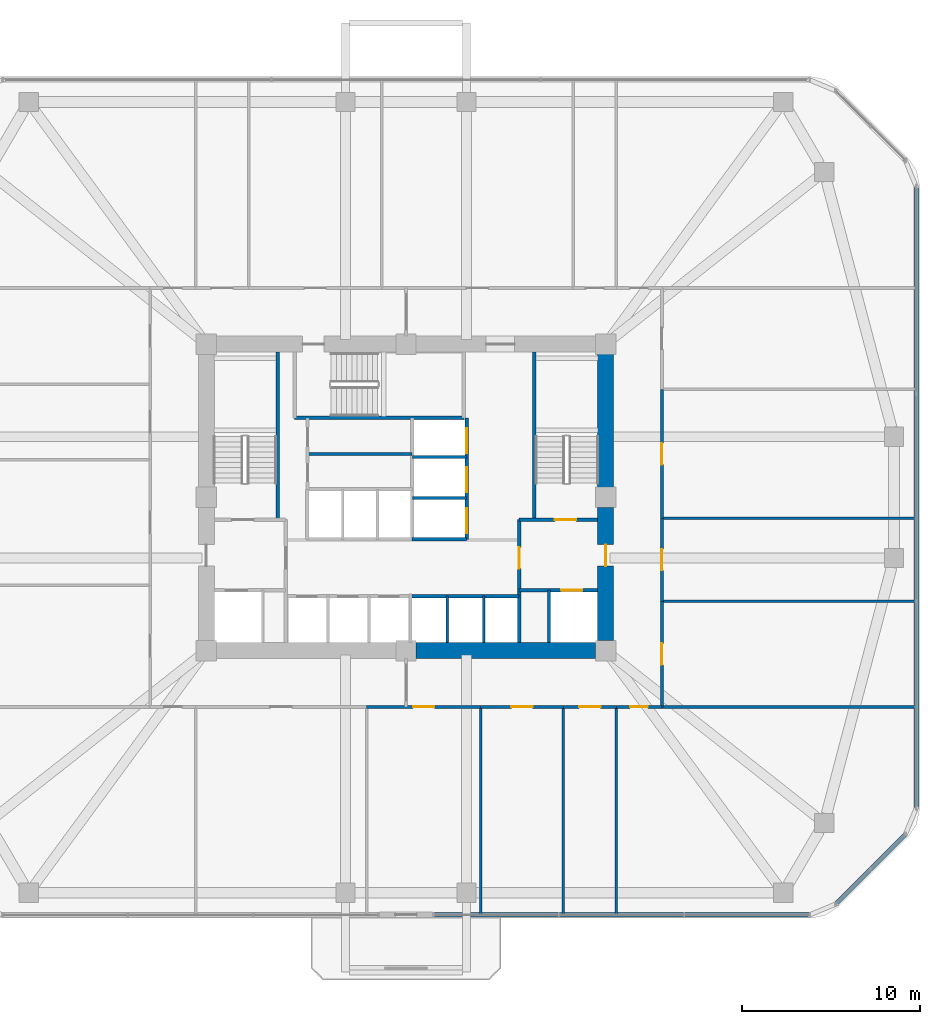
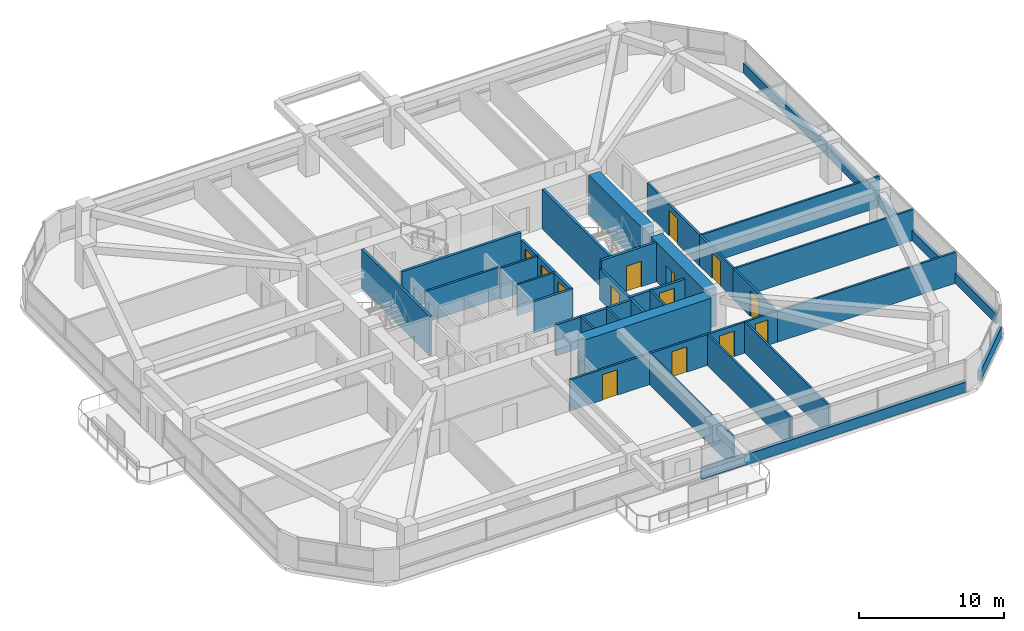
# One storey, part 10 of 14: 34 walls, 14 doors, 14 openings.
"""IFC4 building model written with IfcOpenShell, lengths in metres."""

from ifc_helpers import new_model, si_unit, derived_unit, direction, frame, frame_2d, origin, place, context, subcontext, project, spatial, rectangle, extrude, material, layer, layer_set, type_object, element, fill, save


model = new_model("IFC4")

# Units and contexts
model_context = context("Model", 3, precision=1e-05, world=origin(), true_north=direction((0.0, 1.0)))
body_context = subcontext(model_context, "Body", "Model", "MODEL_VIEW")
ifc_project = project(units=[si_unit("LENGTHUNIT", "METRE"), si_unit("AREAUNIT", "SQUARE_METRE"), si_unit("VOLUMEUNIT", "CUBIC_METRE"), si_unit("PLANEANGLEUNIT", "RADIAN"), si_unit("MASSUNIT", "GRAM", prefix="KILO"), derived_unit("THERMALTRANSMITTANCEUNIT", [(si_unit("POWERUNIT", "WATT"), 1), (si_unit("LENGTHUNIT", "METRE"), -2), (si_unit("THERMODYNAMICTEMPERATUREUNIT", "KELVIN"), -1)])], contexts=[model_context])

# Site, building, storey
site_placement = place(None, origin())
site = spatial("IfcSite", under=ifc_project, at=site_placement, CompositionType="ELEMENT")
building_placement = place(site_placement, origin())
building = spatial("IfcBuilding", under=site, at=building_placement, Name="Koralith Skygarden Medical Center", CompositionType="ELEMENT")
storey_placement = place(building_placement, frame((0.0, 0.0, 34.739990234375)))
storey = spatial("IfcBuildingStorey", under=building, at=storey_placement, Name="L08", CompositionType="ELEMENT", Elevation=34.739990234375)

# Walls
ifc_material_1 = material(Name="Gypsum Board Partition")
ifc_layer_1 = layer(ifc_material_1, 0.14990234375)
ifc_layer_set_1 = layer_set([ifc_layer_1], Name="Gypsum Board Partition")
wall_type_1 = type_object("IfcWallType", Name="Clinical Acoustic Partition 150", PredefinedType="PARTITIONING", material=ifc_layer_set_1)
for number, where, z_axis, x_axis, name in (
    (1, (41.193115234375, 14.14990234375, 0.0), (0.0, 0.0, 1.0), (0.0, -1.0, 0.0), "L08 Clinical Acoustic Partition 150 W-PART-L08-S-03"),
    (2, (45.825927734375, 14.14990234375, 0.0), (0.0, 0.0, 1.0), (0.0, -1.0, 0.0), "L08 Clinical Acoustic Partition 150 W-PART-L08-S-04"),
    (3, (48.800048828125, 14.14990234375, 0.0), (0.0, 0.0, 1.0), (0.0, -1.0, 0.0), "L08 Clinical Acoustic Partition 150 W-PART-L08-S-05"),
):
    element("IfcWall", number, at=place(storey_placement, frame(where, z_axis=z_axis, x_axis=x_axis)), inside=storey, type_object=wall_type_1, Name=name, PredefinedType="PARTITIONING", context=body_context, shape_type="SweptSolid", body=[
        extrude(rectangle(XDim=11.64990234375, YDim=0.14990234375, at=frame_2d((5.824951171875, 0.0))), origin(), (0.0, 0.0, 1.0), 2.610107421875),
    ])
for number, where, z_axis, x_axis, name in (
    (4, (51.35009765625, 20.072021484375, 0.0), (0.0, 0.0, 1.0), (1.0, 0.0, 0.0), "L08 Clinical Acoustic Partition 150 W-PART-L08-E-01"),
    (5, (51.35009765625, 24.72509765625, 0.0), (0.0, 0.0, 1.0), (1.0, 0.0, 0.0), "L08 Clinical Acoustic Partition 150 W-PART-L08-E-02"),
):
    element("IfcWall", number, at=place(storey_placement, frame(where, z_axis=z_axis, x_axis=x_axis)), inside=storey, type_object=wall_type_1, Name=name, PredefinedType="PARTITIONING", context=body_context, shape_type="SweptSolid", body=[
        extrude(rectangle(XDim=14.25, YDim=0.14990234375, at=frame_2d((7.125, 0.0))), origin(), (0.0, 0.0, 1.0), 2.610107421875),
    ])
ifc_layer_2 = layer(ifc_material_1, 0.1650390625)
ifc_layer_set_2 = layer_set([ifc_layer_2], Name="Gypsum Board Partition")
wall_type_2 = type_object("IfcWallType", Name="Clinical Corridor Partition 165", PredefinedType="PARTITIONING", material=ifc_layer_set_2)
wall_1_placement = place(storey_placement, frame((51.35009765625, 14.14990234375, 0.0), z_axis=(0.0, 0.0, 1.0), x_axis=(1.0, 0.0, 0.0)))
element("IfcWall", 6, at=wall_1_placement, inside=storey, type_object=wall_type_2, Name="L08 Clinical Corridor Partition 165 W-WB-L08-SE", PredefinedType="PARTITIONING", context=body_context, shape_type="SweptSolid", body=[
    extrude(rectangle(XDim=14.25, YDim=0.1650390625, at=frame_2d((7.125, 0.0))), origin(), (0.0, 0.0, 1.0), 2.610107421875),
])

# Wall, opening, door
wall_2_placement = place(storey_placement, frame((34.7939453125, 14.14990234375, 0.0), z_axis=(0.0, 0.0, 1.0), x_axis=(1.0, 0.0, 0.0)))
wall_2 = element("IfcWall", 7, at=wall_2_placement, inside=storey, type_object=wall_type_2, Name="L08 Clinical Corridor Partition 165 W-CORR-L08-S-03", PredefinedType="PARTITIONING", context=body_context, shape_type="SweptSolid", body=[
    extrude(rectangle(XDim=6.399169921875, YDim=0.1650390625, at=frame_2d((3.19970703125, 0.0))), origin(), (0.0, 0.0, 1.0), 2.610107421875),
])
opening_1_placement = place(wall_2_placement, frame((2.60009765625, 0.0, 0.0)))
opening_1 = element("IfcOpeningElement", 8, at=opening_1_placement, cuts=wall_2, Name="Opening D-CLN", PredefinedType="OPENING", context=body_context, shape_type="SweptSolid", body=[
    extrude(rectangle(XDim=1.199951171875, YDim=2.14990234375, at=frame_2d((0.60009765625, 1.074951171875))), frame((0.0, 0.092529296875, 0.0), z_axis=(0.0, -1.0, 0.0), x_axis=(1.0, 0.0, 0.0)), (0.0, 0.0, 1.0), 0.18505859375),
])
ifc_material_2 = material(Name="Aluminium 6063-T6", Category="aluminium")
door_type_1 = type_object("IfcDoorType", Name="Clinical Corridor Door D-CLN 1200", OperationType="NOTDEFINED", PredefinedType="DOOR", material=ifc_material_2)
door_1_placement = place(opening_1_placement, frame((1.199951171875, 0.0, 0.0), z_axis=(0.0, 0.0, 1.0), x_axis=(-1.0, 0.0, 0.0)))
door_1 = element("IfcDoor", 9, at=door_1_placement, inside=storey, type_object=door_type_1, Name="L08 Patient and Family Sky-Garden Day Lounge 09 Door", OperationType="SINGLE_SWING_RIGHT", OverallHeight=2.14990234375, OverallWidth=1.199951171875, PredefinedType="DOOR", context=body_context, shape_type="SweptSolid", body=[
    extrude(rectangle(XDim=1.199951171875, YDim=2.14990234375, at=frame_2d((0.60009765625, 1.074951171875))), frame((0.0, 0.02490234375, 0.0), z_axis=(0.0, -1.0, 0.0), x_axis=(1.0, 0.0, 0.0)), (0.0, 0.0, 1.0), 0.050048828125),
])
fill(opening_1, door_1)

wall_3_placement = place(storey_placement, frame((41.193115234375, 14.14990234375, 0.0), z_axis=(0.0, 0.0, 1.0), x_axis=(1.0, 0.0, 0.0)))
wall_3 = element("IfcWall", 10, at=wall_3_placement, inside=storey, type_object=wall_type_2, Name="L08 Clinical Corridor Partition 165 W-CORR-L08-S-04", PredefinedType="PARTITIONING", context=body_context, shape_type="SweptSolid", body=[
    extrude(rectangle(XDim=4.6328125, YDim=0.1650390625, at=frame_2d((2.31640625, 0.0))), origin(), (0.0, 0.0, 1.0), 2.610107421875),
])
opening_2_placement = place(wall_3_placement, frame((1.717041015625, 0.0, 0.0)))
opening_2 = element("IfcOpeningElement", 11, at=opening_2_placement, cuts=wall_3, Name="Opening D-CLN", PredefinedType="OPENING", context=body_context, shape_type="SweptSolid", body=[
    extrude(rectangle(XDim=1.199951171875, YDim=2.14990234375, at=frame_2d((0.60009765625, 1.074951171875))), frame((0.0, 0.092529296875, 0.0), z_axis=(0.0, -1.0, 0.0), x_axis=(1.0, 0.0, 0.0)), (0.0, 0.0, 1.0), 0.18505859375),
])
door_2_placement = place(opening_2_placement, frame((1.199951171875, 0.0, 0.0), z_axis=(0.0, 0.0, 1.0), x_axis=(-1.0, 0.0, 0.0)))
door_2 = element("IfcDoor", 12, at=door_2_placement, inside=storey, type_object=door_type_1, Name="L08 Ward Mobility Therapy Exercise Hall 10 Door", OperationType="SINGLE_SWING_LEFT", OverallHeight=2.14990234375, OverallWidth=1.199951171875, PredefinedType="DOOR", context=body_context, shape_type="SweptSolid", body=[
    extrude(rectangle(XDim=1.199951171875, YDim=2.14990234375, at=frame_2d((0.60009765625, 1.074951171875))), frame((0.0, 0.02490234375, 0.0), z_axis=(0.0, -1.0, 0.0), x_axis=(1.0, 0.0, 0.0)), (0.0, 0.0, 1.0), 0.050048828125),
])
fill(opening_2, door_2)

wall_4_placement = place(storey_placement, frame((45.825927734375, 14.14990234375, 0.0), z_axis=(0.0, 0.0, 1.0), x_axis=(1.0, 0.0, 0.0)))
wall_4 = element("IfcWall", 13, at=wall_4_placement, inside=storey, type_object=wall_type_2, Name="L08 Clinical Corridor Partition 165 W-CORR-L08-S-05", PredefinedType="PARTITIONING", context=body_context, shape_type="SweptSolid", body=[
    extrude(rectangle(XDim=2.97412109375, YDim=0.1650390625, at=frame_2d((1.487060546875, 0.0))), origin(), (0.0, 0.0, 1.0), 2.610107421875),
])
opening_3_placement = place(wall_4_placement, frame((0.886962890625, 0.0, 0.0)))
opening_3 = element("IfcOpeningElement", 14, at=opening_3_placement, cuts=wall_4, Name="Opening D-CLN", PredefinedType="OPENING", context=body_context, shape_type="SweptSolid", body=[
    extrude(rectangle(XDim=1.199951171875, YDim=2.14990234375, at=frame_2d((0.60009765625, 1.074951171875))), frame((0.0, 0.092529296875, 0.0), z_axis=(0.0, -1.0, 0.0), x_axis=(1.0, 0.0, 0.0)), (0.0, 0.0, 1.0), 0.18505859375),
])
door_3_placement = place(opening_3_placement, frame((1.199951171875, 0.0, 0.0), z_axis=(0.0, 0.0, 1.0), x_axis=(-1.0, 0.0, 0.0)))
door_3 = element("IfcDoor", 15, at=door_3_placement, inside=storey, type_object=door_type_1, Name="L08 Diagnostic Ultrasound Exam Room 11 Door", OperationType="SINGLE_SWING_RIGHT", OverallHeight=2.14990234375, OverallWidth=1.199951171875, PredefinedType="DOOR", context=body_context, shape_type="SweptSolid", body=[
    extrude(rectangle(XDim=1.199951171875, YDim=2.14990234375, at=frame_2d((0.60009765625, 1.074951171875))), frame((0.0, 0.02490234375, 0.0), z_axis=(0.0, -1.0, 0.0), x_axis=(1.0, 0.0, 0.0)), (0.0, 0.0, 1.0), 0.050048828125),
])
fill(opening_3, door_3)

wall_5_placement = place(storey_placement, frame((48.800048828125, 14.14990234375, 0.0), z_axis=(0.0, 0.0, 1.0), x_axis=(1.0, 0.0, 0.0)))
wall_5 = element("IfcWall", 16, at=wall_5_placement, inside=storey, type_object=wall_type_2, Name="L08 Clinical Corridor Partition 165 W-CORR-L08-S-06", PredefinedType="PARTITIONING", context=body_context, shape_type="SweptSolid", body=[
    extrude(rectangle(XDim=2.550048828125, YDim=0.1650390625, at=frame_2d((1.27490234375, 0.0))), origin(), (0.0, 0.0, 1.0), 2.610107421875),
])
opening_4_placement = place(wall_5_placement, frame((0.77490234375, 0.0, 0.0)))
opening_4 = element("IfcOpeningElement", 17, at=opening_4_placement, cuts=wall_5, Name="Opening D-SUP", PredefinedType="OPENING", context=body_context, shape_type="SweptSolid", body=[
    extrude(rectangle(XDim=1.0, YDim=2.14990234375, at=frame_2d((0.5, 1.074951171875))), frame((0.0, 0.092529296875, 0.0), z_axis=(0.0, -1.0, 0.0), x_axis=(1.0, 0.0, 0.0)), (0.0, 0.0, 1.0), 0.18505859375),
])
door_type_2 = type_object("IfcDoorType", Name="Clinical Support Door D-SUP 1000", OperationType="NOTDEFINED", PredefinedType="DOOR", material=ifc_material_2)
door_4_placement = place(opening_4_placement, frame((1.0, 0.0, 0.0), z_axis=(0.0, 0.0, 1.0), x_axis=(-1.0, 0.0, 0.0)))
door_4 = element("IfcDoor", 18, at=door_4_placement, inside=storey, type_object=door_type_2, Name="L08 Multidisciplinary Huddle Room 12 Door", OperationType="SINGLE_SWING_LEFT", OverallHeight=2.14990234375, OverallWidth=1.0, PredefinedType="DOOR", context=body_context, shape_type="SweptSolid", body=[
    extrude(rectangle(XDim=1.0, YDim=2.14990234375, at=frame_2d((0.5, 1.074951171875))), frame((0.0, 0.02490234375, 0.0), z_axis=(0.0, -1.0, 0.0), x_axis=(1.0, 0.0, 0.0)), (0.0, 0.0, 1.0), 0.050048828125),
])
fill(opening_4, door_4)

wall_6_placement = place(storey_placement, frame((51.35009765625, 14.14990234375, 0.0), z_axis=(0.0, 0.0, 1.0), x_axis=(0.0, 1.0, 0.0)))
wall_6 = element("IfcWall", 19, at=wall_6_placement, inside=storey, type_object=wall_type_2, Name="L08 Clinical Corridor Partition 165 W-CORR-L08-E-01", PredefinedType="PARTITIONING", context=body_context, shape_type="SweptSolid", body=[
    extrude(rectangle(XDim=5.922119140625, YDim=0.1650390625, at=frame_2d((2.9609375, 0.0))), origin(), (0.0, 0.0, 1.0), 2.610107421875),
])
opening_5_placement = place(wall_6_placement, frame((2.361083984375, 0.0, 0.0)))
opening_5 = element("IfcOpeningElement", 20, at=opening_5_placement, cuts=wall_6, Name="Opening D-CLN", PredefinedType="OPENING", context=body_context, shape_type="SweptSolid", body=[
    extrude(rectangle(XDim=1.199951171875, YDim=2.14990234375, at=frame_2d((0.60009765625, 1.074951171875))), frame((0.0, 0.092529296875, 0.0), z_axis=(0.0, -1.0, 0.0), x_axis=(1.0, 0.0, 0.0)), (0.0, 0.0, 1.0), 0.18505859375),
])
door_5_placement = place(opening_5_placement, origin())
door_5 = element("IfcDoor", 21, at=door_5_placement, inside=storey, type_object=door_type_1, Name="L08 Multidisciplinary Huddle Room 17 Door", OperationType="SINGLE_SWING_RIGHT", OverallHeight=2.14990234375, OverallWidth=1.199951171875, PredefinedType="DOOR", context=body_context, shape_type="SweptSolid", body=[
    extrude(rectangle(XDim=1.199951171875, YDim=2.14990234375, at=frame_2d((0.60009765625, 1.074951171875))), frame((0.0, 0.02490234375, 0.0), z_axis=(0.0, -1.0, 0.0), x_axis=(1.0, 0.0, 0.0)), (0.0, 0.0, 1.0), 0.050048828125),
])
fill(opening_5, door_5)

wall_7_placement = place(storey_placement, frame((51.35009765625, 20.072021484375, 0.0), z_axis=(0.0, 0.0, 1.0), x_axis=(0.0, 1.0, 0.0)))
wall_7 = element("IfcWall", 22, at=wall_7_placement, inside=storey, type_object=wall_type_2, Name="L08 Clinical Corridor Partition 165 W-CORR-L08-E-02", PredefinedType="PARTITIONING", context=body_context, shape_type="SweptSolid", body=[
    extrude(rectangle(XDim=4.653076171875, YDim=0.1650390625, at=frame_2d((2.32666015625, 0.0))), origin(), (0.0, 0.0, 1.0), 2.610107421875),
])
opening_6_placement = place(wall_7_placement, frame((1.72705078125, 0.0, 0.0)))
opening_6 = element("IfcOpeningElement", 23, at=opening_6_placement, cuts=wall_7, Name="Opening D-CLN", PredefinedType="OPENING", context=body_context, shape_type="SweptSolid", body=[
    extrude(rectangle(XDim=1.199951171875, YDim=2.14990234375, at=frame_2d((0.60009765625, 1.074951171875))), frame((0.0, 0.092529296875, 0.0), z_axis=(0.0, -1.0, 0.0), x_axis=(1.0, 0.0, 0.0)), (0.0, 0.0, 1.0), 0.18505859375),
])
door_6_placement = place(opening_6_placement, origin())
door_6 = element("IfcDoor", 24, at=door_6_placement, inside=storey, type_object=door_type_1, Name="L08 Clinical Consultation Office 18 Door", OperationType="SINGLE_SWING_LEFT", OverallHeight=2.14990234375, OverallWidth=1.199951171875, PredefinedType="DOOR", context=body_context, shape_type="SweptSolid", body=[
    extrude(rectangle(XDim=1.199951171875, YDim=2.14990234375, at=frame_2d((0.60009765625, 1.074951171875))), frame((0.0, 0.02490234375, 0.0), z_axis=(0.0, -1.0, 0.0), x_axis=(1.0, 0.0, 0.0)), (0.0, 0.0, 1.0), 0.050048828125),
])
fill(opening_6, door_6)

wall_8_placement = place(storey_placement, frame((51.35009765625, 24.72509765625, 0.0), z_axis=(0.0, 0.0, 1.0), x_axis=(0.0, 1.0, 0.0)))
wall_8 = element("IfcWall", 25, at=wall_8_placement, inside=storey, type_object=wall_type_2, Name="L08 Clinical Corridor Partition 165 W-CORR-L08-E-03", PredefinedType="PARTITIONING", context=body_context, shape_type="SweptSolid", body=[
    extrude(rectangle(XDim=7.23779296875, YDim=0.1650390625, at=frame_2d((3.618896484375, 0.0))), origin(), (0.0, 0.0, 1.0), 2.610107421875),
])
opening_7_placement = place(wall_8_placement, frame((3.01904296875, 0.0, 0.0)))
opening_7 = element("IfcOpeningElement", 26, at=opening_7_placement, cuts=wall_8, Name="Opening D-CLN", PredefinedType="OPENING", context=body_context, shape_type="SweptSolid", body=[
    extrude(rectangle(XDim=1.199951171875, YDim=2.14990234375, at=frame_2d((0.60009765625, 1.074951171875))), frame((0.0, 0.092529296875, 0.0), z_axis=(0.0, -1.0, 0.0), x_axis=(1.0, 0.0, 0.0)), (0.0, 0.0, 1.0), 0.18505859375),
])
door_7_placement = place(opening_7_placement, origin())
door_7 = element("IfcDoor", 27, at=door_7_placement, inside=storey, type_object=door_type_1, Name="L08 Ward Mobility Therapy Exercise Hall 19 Door", OperationType="SINGLE_SWING_RIGHT", OverallHeight=2.14990234375, OverallWidth=1.199951171875, PredefinedType="DOOR", context=body_context, shape_type="SweptSolid", body=[
    extrude(rectangle(XDim=1.199951171875, YDim=2.14990234375, at=frame_2d((0.60009765625, 1.074951171875))), frame((0.0, 0.02490234375, 0.0), z_axis=(0.0, -1.0, 0.0), x_axis=(1.0, 0.0, 0.0)), (0.0, 0.0, 1.0), 0.050048828125),
])
fill(opening_7, door_7)

ifc_layer_3 = layer(ifc_material_1, 0.199951171875)
ifc_layer_set_3 = layer_set([ifc_layer_3], Name="Gypsum Board Partition")
wall_type_3 = type_object("IfcWallType", Name="Fire Shaft Wall 200", PredefinedType="SOLIDWALL", material=ifc_layer_set_3)
wall_9_placement = place(storey_placement, frame((43.35009765625, 20.699951171875, 0.0), z_axis=(0.0, 0.0, 1.0), x_axis=(1.0, 0.0, 0.0)))
wall_9 = element("IfcWall", 28, at=wall_9_placement, inside=storey, type_object=wall_type_3, Name="L08 Fire Shaft Wall 200 W-CORE-L08-FF2-N", PredefinedType="SOLIDWALL", context=body_context, shape_type="SweptSolid", body=[
    extrude(rectangle(XDim=4.39990234375, YDim=0.199951171875, at=frame_2d((2.199951171875, 0.0))), origin(), (0.0, 0.0, 1.0), 2.610107421875),
])
opening_8_placement = place(wall_9_placement, frame((2.35009765625, 0.0, 0.0)))
opening_8 = element("IfcOpeningElement", 29, at=opening_8_placement, cuts=wall_9, Name="Opening LD-FF", PredefinedType="OPENING", context=body_context, shape_type="SweptSolid", body=[
    extrude(rectangle(XDim=1.199951171875, YDim=2.14990234375, at=frame_2d((0.60009765625, 1.074951171875))), frame((0.0, 0.10986328125, 0.0), z_axis=(0.0, -1.0, 0.0), x_axis=(1.0, 0.0, 0.0)), (0.0, 0.0, 1.0), 0.219970703125),
])
ifc_material_3 = material(Name="Steel ASTM A500 Grade C", Category="steel")
door_type_3 = type_object("IfcDoorType", Name="Fire Lift Sliding Landing Door LD-FF 1200", OperationType="NOTDEFINED", PredefinedType="DOOR", material=ifc_material_3)
door_8_placement = place(opening_8_placement, origin())
door_8 = element("IfcDoor", 30, at=door_8_placement, inside=storey, type_object=door_type_3, Name="L08 Fire Service Elevator FF2 Landing Door", OperationType="SLIDING_TO_RIGHT", OverallHeight=2.14990234375, OverallWidth=1.199951171875, PredefinedType="DOOR", context=body_context, shape_type="SweptSolid", body=[
    extrude(rectangle(XDim=1.199951171875, YDim=2.14990234375, at=frame_2d((0.60009765625, 1.074951171875))), frame((0.0, 0.02490234375, 0.0), z_axis=(0.0, -1.0, 0.0), x_axis=(1.0, 0.0, 0.0)), (0.0, 0.0, 1.0), 0.050048828125),
])
fill(opening_8, door_8)

wall_10_placement = place(storey_placement, frame((43.35009765625, 17.75, 0.0), z_axis=(0.0, 0.0, 1.0), x_axis=(0.0, 1.0, 0.0)))
wall_10 = element("IfcWall", 31, at=wall_10_placement, inside=storey, type_object=wall_type_3, Name="L08 Fire Shaft Wall 200 W-CORE-L08-FSAEE-W", PredefinedType="SOLIDWALL", context=body_context, shape_type="SweptSolid", body=[
    extrude(rectangle(XDim=6.89990234375, YDim=0.199951171875, at=frame_2d((3.449951171875, 0.0))), origin(), (0.0, 0.0, 1.0), 2.610107421875),
])
opening_9_placement = place(wall_10_placement, frame((4.14990234375, 0.0, 0.0)))
opening_9 = element("IfcOpeningElement", 32, at=opening_9_placement, cuts=wall_10, Name="Opening D-ST60", PredefinedType="OPENING", context=body_context, shape_type="SweptSolid", body=[
    extrude(rectangle(XDim=1.199951171875, YDim=2.14990234375, at=frame_2d((0.60009765625, 1.074951171875))), frame((0.0, 0.10986328125, 0.0), z_axis=(0.0, -1.0, 0.0), x_axis=(1.0, 0.0, 0.0)), (0.0, 0.0, 1.0), 0.219970703125),
])
door_type_4 = type_object("IfcDoorType", Name="Smokeproof Stair Fire Door FD60S 1200", OperationType="NOTDEFINED", PredefinedType="DOOR", material=ifc_material_3)
door_9_placement = place(opening_9_placement, frame((1.199951171875, 0.0, 0.0), z_axis=(0.0, 0.0, 1.0), x_axis=(-1.0, 0.0, 0.0)))
door_9 = element("IfcDoor", 33, at=door_9_placement, inside=storey, type_object=door_type_4, Name="L08 East Firefighting Lobby Inner Fire Door", OperationType="SINGLE_SWING_RIGHT", OverallHeight=2.14990234375, OverallWidth=1.199951171875, PredefinedType="DOOR", context=body_context, shape_type="SweptSolid", body=[
    extrude(rectangle(XDim=1.199951171875, YDim=2.14990234375, at=frame_2d((0.60009765625, 1.074951171875))), frame((0.0, 0.02490234375, 0.0), z_axis=(0.0, -1.0, 0.0), x_axis=(1.0, 0.0, 0.0)), (0.0, 0.0, 1.0), 0.050048828125),
])
fill(opening_9, door_9)

# Walls
wall_11_placement = place(storey_placement, frame((37.25, 20.360107421875, 0.0), z_axis=(0.0, 0.0, 1.0), x_axis=(1.0, 0.0, 0.0)))
element("IfcWall", 34, at=wall_11_placement, inside=storey, type_object=wall_type_3, Name="L08 Fire Shaft Wall 200 W-CORE-L08-PM-N", PredefinedType="SOLIDWALL", context=body_context, shape_type="SweptSolid", body=[
    extrude(rectangle(XDim=6.10009765625, YDim=0.199951171875, at=frame_2d((3.050048828125, 0.0))), origin(), (0.0, 0.0, 1.0), 2.610107421875),
])
wall_12_placement = place(storey_placement, frame((37.35009765625, 23.5400390625, 0.0), z_axis=(0.0, 0.0, 1.0), x_axis=(1.0, 0.0, 0.0)))
element("IfcWall", 35, at=wall_12_placement, inside=storey, type_object=wall_type_3, Name="L08 Fire Shaft Wall 200 W-CORE-L08-SV-S", PredefinedType="SOLIDWALL", context=body_context, shape_type="SweptSolid", body=[
    extrude(rectangle(XDim=3.0498046875, YDim=0.199951171875, at=frame_2d((1.52490234375, 0.0))), origin(), (0.0, 0.0, 1.0), 2.610107421875),
])

# Wall, openings, doors
wall_13_placement = place(storey_placement, frame((40.39990234375, 23.5400390625, 0.0), z_axis=(0.0, 0.0, 1.0), x_axis=(0.0, 1.0, 0.0)))
wall_13 = element("IfcWall", 36, at=wall_13_placement, inside=storey, type_object=wall_type_3, Name="L08 Fire Shaft Wall 200 W-CORE-L08-SV-E", PredefinedType="SOLIDWALL", context=body_context, shape_type="SweptSolid", body=[
    extrude(rectangle(XDim=6.820068359375, YDim=0.199951171875, at=frame_2d((3.41015625, 0.0))), origin(), (0.0, 0.0, 1.0), 2.610107421875),
])
opening_10_placement = place(wall_13_placement, frame((0.35009765625, 0.0, 0.0)))
opening_10 = element("IfcOpeningElement", 37, at=opening_10_placement, cuts=wall_13, Name="Opening LD-SV", PredefinedType="OPENING", context=body_context, shape_type="SweptSolid", body=[
    extrude(rectangle(XDim=1.39990234375, YDim=2.199951171875, at=frame_2d((0.699951171875, 1.10009765625))), frame((0.0, 0.10986328125, 0.0), z_axis=(0.0, -1.0, 0.0), x_axis=(1.0, 0.0, 0.0)), (0.0, 0.0, 1.0), 0.219970703125),
])
opening_11_placement = place(wall_13_placement, frame((2.64990234375, 0.0, 0.0)))
opening_11 = element("IfcOpeningElement", 38, at=opening_11_placement, cuts=wall_13, Name="Opening LD-SV", PredefinedType="OPENING", context=body_context, shape_type="SweptSolid", body=[
    extrude(rectangle(XDim=1.39990234375, YDim=2.199951171875, at=frame_2d((0.699951171875, 1.10009765625))), frame((0.0, 0.10986328125, 0.0), z_axis=(0.0, -1.0, 0.0), x_axis=(1.0, 0.0, 0.0)), (0.0, 0.0, 1.0), 0.219970703125),
])
opening_12_placement = place(wall_13_placement, frame((4.85009765625, 0.0, 0.0)))
opening_12 = element("IfcOpeningElement", 39, at=opening_12_placement, cuts=wall_13, Name="Opening LD-SV", PredefinedType="OPENING", context=body_context, shape_type="SweptSolid", body=[
    extrude(rectangle(XDim=1.39990234375, YDim=2.199951171875, at=frame_2d((0.699951171875, 1.10009765625))), frame((0.0, 0.10986328125, 0.0), z_axis=(0.0, -1.0, 0.0), x_axis=(1.0, 0.0, 0.0)), (0.0, 0.0, 1.0), 0.219970703125),
])
door_type_5 = type_object("IfcDoorType", Name="Bed Lift Sliding Landing Door LD-SV 1400", OperationType="NOTDEFINED", PredefinedType="DOOR", material=ifc_material_3)
door_10_placement = place(opening_10_placement, origin())
door_10 = element("IfcDoor", 40, at=door_10_placement, inside=storey, type_object=door_type_5, Name="L08 Bed Elevator BD1 Landing Door", OperationType="SLIDING_TO_LEFT", OverallHeight=2.199951171875, OverallWidth=1.39990234375, PredefinedType="DOOR", context=body_context, shape_type="SweptSolid", body=[
    extrude(rectangle(XDim=1.39990234375, YDim=2.199951171875, at=frame_2d((0.699951171875, 1.10009765625))), frame((0.0, 0.02490234375, 0.0), z_axis=(0.0, -1.0, 0.0), x_axis=(1.0, 0.0, 0.0)), (0.0, 0.0, 1.0), 0.050048828125),
])
fill(opening_10, door_10)
door_11_placement = place(opening_11_placement, origin())
door_11 = element("IfcDoor", 41, at=door_11_placement, inside=storey, type_object=door_type_5, Name="L08 Service Elevator BD2 Landing Door", OperationType="SLIDING_TO_LEFT", OverallHeight=2.199951171875, OverallWidth=1.39990234375, PredefinedType="DOOR", context=body_context, shape_type="SweptSolid", body=[
    extrude(rectangle(XDim=1.39990234375, YDim=2.199951171875, at=frame_2d((0.699951171875, 1.10009765625))), frame((0.0, 0.02490234375, 0.0), z_axis=(0.0, -1.0, 0.0), x_axis=(1.0, 0.0, 0.0)), (0.0, 0.0, 1.0), 0.050048828125),
])
fill(opening_11, door_11)
door_12_placement = place(opening_12_placement, origin())
door_12 = element("IfcDoor", 42, at=door_12_placement, inside=storey, type_object=door_type_5, Name="L08 Trauma Elevator TR1 Landing Door", OperationType="SLIDING_TO_RIGHT", OverallHeight=2.199951171875, OverallWidth=1.39990234375, PredefinedType="DOOR", context=body_context, shape_type="SweptSolid", body=[
    extrude(rectangle(XDim=1.39990234375, YDim=2.199951171875, at=frame_2d((0.699951171875, 1.10009765625))), frame((0.0, 0.02490234375, 0.0), z_axis=(0.0, -1.0, 0.0), x_axis=(1.0, 0.0, 0.0)), (0.0, 0.0, 1.0), 0.050048828125),
])
fill(opening_12, door_12)

# Walls
ifc_material_4 = material(Name="Warm Oolitic Limestone Cladding", Category="masonry")
ifc_layer_4 = layer(ifc_material_4, 0.239990234375)
ifc_layer_set_4 = layer_set([ifc_layer_4], Name="Warm Oolitic Limestone Cladding")
wall_type_4 = type_object("IfcWallType", Name="Limestone Spandrel Sill Backup Wall 240", PredefinedType="SOLIDWALL", material=ifc_layer_set_4)
wall_14_placement = place(storey_placement, frame((38.5400390625, 2.47998046875, 0.0), z_axis=(0.0, 0.0, 1.0), x_axis=(1.0, 0.0, 0.0)))
element("IfcWall", 43, at=wall_14_placement, inside=storey, type_object=wall_type_4, Name="L08 Sill Spandrel S-R", PredefinedType="SOLIDWALL", context=body_context, shape_type="SweptSolid", body=[
    extrude(rectangle(XDim=21.10498046875, YDim=0.239990234375, at=frame_2d((10.552490234375, 0.0))), origin(), (0.0, 0.0, 1.0), 0.85009765625),
])
wall_15_placement = place(storey_placement, frame((61.095947265625, 3.0810546875, 0.0), z_axis=(0.0, 0.0, 1.0), x_axis=(0.707128783731, 0.707084777957, 0.0)))
element("IfcWall", 44, at=wall_15_placement, inside=storey, type_object=wall_type_4, Name="L08 Sill Spandrel SE", PredefinedType="SOLIDWALL", context=body_context, shape_type="SweptSolid", body=[
    extrude(rectangle(XDim=5.5478515625, YDim=0.239990234375, at=frame_2d((2.77392578125, 0.0))), origin(), (0.0, 0.0, 1.0), 0.85009765625),
])
wall_16_placement = place(storey_placement, frame((65.6201171875, 8.455078125, 0.0), z_axis=(0.0, 0.0, 1.0), x_axis=(0.0, 1.0, 0.0)))
element("IfcWall", 45, at=wall_16_placement, inside=storey, type_object=wall_type_4, Name="L08 Sill Spandrel E", PredefinedType="SOLIDWALL", context=body_context, shape_type="SweptSolid", body=[
    extrude(rectangle(XDim=34.889892578125, YDim=0.239990234375, at=frame_2d((17.44482421875, 0.0))), origin(), (0.0, 0.0, 1.0), 0.85009765625),
])
ifc_material_5 = material(Name="Concrete C70/85", Category="concrete")
ifc_layer_5 = layer(ifc_material_5, 0.89990234375)
ifc_layer_set_5 = layer_set([ifc_layer_5], Name="Concrete C70/85")
wall_type_5 = type_object("IfcWallType", Name="Lower Core Shear Wall 900", PredefinedType="SHEAR", material=ifc_layer_set_5)
wall_17_placement = place(storey_placement, frame((37.56494140625, 17.300048828125, 0.0), z_axis=(0.0, 0.0, 1.0), x_axis=(1.0, 0.0, 0.0)))
element("IfcWall", 46, at=wall_17_placement, inside=storey, type_object=wall_type_5, Name="L08 Core Shear Wall Segment 2", PredefinedType="SHEAR", context=body_context, shape_type="SweptSolid", body=[
    extrude(rectangle(XDim=10.070068359375, YDim=0.89990234375, at=frame_2d((5.03515625, 0.0))), origin(), (0.0, 0.0, 1.0), 3.320068359375),
])

# Wall, opening, door
wall_18_placement = place(storey_placement, frame((48.199951171875, 17.864990234375, 0.0), z_axis=(0.0, 0.0, 1.0), x_axis=(0.0, 1.0, 0.0)))
wall_18 = element("IfcWall", 47, at=wall_18_placement, inside=storey, type_object=wall_type_5, Name="L08 Core Shear Wall Segment 3", PredefinedType="SHEAR", context=body_context, shape_type="SweptSolid", body=[
    extrude(rectangle(XDim=7.469970703125, YDim=0.89990234375, at=frame_2d((3.73486328125, 0.0))), origin(), (0.0, 0.0, 1.0), 3.320068359375),
])
opening_13_placement = place(wall_18_placement, frame((4.18505859375, 0.0, 0.0)))
opening_13 = element("IfcOpeningElement", 48, at=opening_13_placement, cuts=wall_18, Name="Opening D-ST60", PredefinedType="OPENING", context=body_context, shape_type="SweptSolid", body=[
    extrude(rectangle(XDim=1.199951171875, YDim=2.14990234375, at=frame_2d((0.60009765625, 1.074951171875))), frame((0.0, 0.4599609375, 0.0), z_axis=(0.0, -1.0, 0.0), x_axis=(1.0, 0.0, 0.0)), (0.0, 0.0, 1.0), 0.919921875),
])
door_13_placement = place(opening_13_placement, frame((1.199951171875, 0.0, 0.0), z_axis=(0.0, 0.0, 1.0), x_axis=(-1.0, 0.0, 0.0)))
door_13 = element("IfcDoor", 49, at=door_13_placement, inside=storey, type_object=door_type_4, Name="L08 East Corridor to Firefighting Lobby Door", OperationType="SINGLE_SWING_RIGHT", OverallHeight=2.14990234375, OverallWidth=1.199951171875, PredefinedType="DOOR", context=body_context, shape_type="SweptSolid", body=[
    extrude(rectangle(XDim=1.199951171875, YDim=2.14990234375, at=frame_2d((0.60009765625, 1.074951171875))), frame((0.0, 0.02490234375, 0.0), z_axis=(0.0, -1.0, 0.0), x_axis=(1.0, 0.0, 0.0)), (0.0, 0.0, 1.0), 0.050048828125),
])
fill(opening_13, door_13)

# Walls
wall_19_placement = place(storey_placement, frame((48.199951171875, 26.465087890625, 0.0), z_axis=(0.0, 0.0, 1.0), x_axis=(0.0, 1.0, 0.0)))
element("IfcWall", 50, at=wall_19_placement, inside=storey, type_object=wall_type_5, Name="L08 Core Shear Wall Segment 4", PredefinedType="SHEAR", context=body_context, shape_type="SweptSolid", body=[
    extrude(rectangle(XDim=7.469970703125, YDim=0.89990234375, at=frame_2d((3.73486328125, 0.0))), origin(), (0.0, 0.0, 1.0), 3.320068359375),
])
ifc_layer_6 = layer(ifc_material_1, 0.1650390625)
ifc_layer_set_6 = layer_set([ifc_layer_6], Name="Gypsum Board Partition")
wall_type_6 = type_object("IfcWallType", Name="Plumbing Wet Wall 165", PredefinedType="PLUMBINGWALL", material=ifc_layer_set_6)
wall_20_placement = place(storey_placement, frame((31.47998046875, 28.340087890625, 0.0), z_axis=(0.0, 0.0, 1.0), x_axis=(1.0, 0.0, 0.0)))
element("IfcWall", 51, at=wall_20_placement, inside=storey, type_object=wall_type_6, Name="L08 Plumbing Wet Wall 165 W-CORE-L08-FLEX-H0", PredefinedType="PLUMBINGWALL", context=body_context, shape_type="SweptSolid", body=[
    extrude(rectangle(XDim=5.8701171875, YDim=0.1650390625, at=frame_2d((2.93505859375, 0.0))), origin(), (0.0, 0.0, 1.0), 2.610107421875),
])
ifc_layer_7 = layer(ifc_material_1, 0.14990234375)
ifc_layer_set_7 = layer_set([ifc_layer_7], Name="Gypsum Board Partition")
wall_type_7 = type_object("IfcWallType", Name="Shaft Partition Wall 150", PredefinedType="PARTITIONING", material=ifc_layer_set_7)
wall_21_placement = place(storey_placement, frame((45.02001953125, 17.75, 0.0), z_axis=(0.0, 0.0, 1.0), x_axis=(0.0, 1.0, 0.0)))
element("IfcWall", 52, at=wall_21_placement, inside=storey, type_object=wall_type_7, Name="L08 Shaft Partition Wall 150 W-CORE-L08-RSRE-DIV", PredefinedType="PARTITIONING", context=body_context, shape_type="SweptSolid", body=[
    extrude(rectangle(XDim=2.949951171875, YDim=0.14990234375, at=frame_2d((1.47509765625, 0.0))), origin(), (0.0, 0.0, 1.0), 2.610107421875),
])
for number, where, z_axis, x_axis, name in (
    (53, (39.320068359375, 17.75, 0.0), (0.0, 0.0, 1.0), (0.0, 1.0, 0.0), "L08 Shaft Partition Wall 150 W-CORE-L08-PM-D1"),
    (54, (41.3701171875, 17.75, 0.0), (0.0, 0.0, 1.0), (0.0, 1.0, 0.0), "L08 Shaft Partition Wall 150 W-CORE-L08-PM-D2"),
):
    element("IfcWall", number, at=place(storey_placement, frame(where, z_axis=z_axis, x_axis=x_axis)), inside=storey, type_object=wall_type_7, Name=name, PredefinedType="PARTITIONING", context=body_context, shape_type="SweptSolid", body=[
        extrude(rectangle(XDim=2.610107421875, YDim=0.14990234375, at=frame_2d((1.30517578125, 0.0))), origin(), (0.0, 0.0, 1.0), 2.610107421875),
    ])
for number, where, z_axis, x_axis, name in (
    (55, (37.3701171875, 25.8701171875, 0.0), (0.0, 0.0, 1.0), (1.0, 0.0, 0.0), "L08 Shaft Partition Wall 150 W-CORE-L08-SV-D1"),
    (56, (37.3701171875, 28.169921875, 0.0), (0.0, 0.0, 1.0), (1.0, 0.0, 0.0), "L08 Shaft Partition Wall 150 W-CORE-L08-SV-D2"),
):
    element("IfcWall", number, at=place(storey_placement, frame(where, z_axis=z_axis, x_axis=x_axis)), inside=storey, type_object=wall_type_7, Name=name, PredefinedType="PARTITIONING", context=body_context, shape_type="SweptSolid", body=[
        extrude(rectangle(XDim=3.009765625, YDim=0.14990234375, at=frame_2d((1.5048828125, 0.0))), origin(), (0.0, 0.0, 1.0), 2.610107421875),
    ])
ifc_material_6 = material(Name="Concrete C45/55", Category="concrete")
ifc_layer_8 = layer(ifc_material_6, 0.199951171875)
ifc_layer_set_8 = layer_set([ifc_layer_8], Name="Concrete C45/55")
wall_type_8 = type_object("IfcWallType", Name="Structural Stair Shaft Wall 200", PredefinedType="SHEAR", material=ifc_layer_set_8)
for number, where, z_axis, x_axis, name in (
    (57, (29.800048828125, 24.64990234375, 0.0), (0.0, 0.0, 1.0), (0.0, 1.0, 0.0), "L08 Structural Stair Shaft Wall 200 W-CORE-L08-ST1-E"),
    (58, (44.199951171875, 24.64990234375, 0.0), (0.0, 0.0, 1.0), (0.0, 1.0, 0.0), "L08 Structural Stair Shaft Wall 200 W-CORE-L08-ST2-W"),
):
    element("IfcWall", number, at=place(storey_placement, frame(where, z_axis=z_axis, x_axis=x_axis)), inside=storey, type_object=wall_type_8, Name=name, PredefinedType="SHEAR", context=body_context, shape_type="SweptSolid", body=[
        extrude(rectangle(XDim=9.400146484375, YDim=0.199951171875, at=frame_2d((4.7001953125, 0.0))), origin(), (0.0, 0.0, 1.0), 3.320068359375),
    ])

# Wall, opening, door
wall_22_placement = place(storey_placement, frame((43.35009765625, 24.64990234375, 0.0), z_axis=(0.0, 0.0, 1.0), x_axis=(1.0, 0.0, 0.0)))
wall_22 = element("IfcWall", 59, at=wall_22_placement, inside=storey, type_object=wall_type_8, Name="L08 Structural Stair Shaft Wall 200 W-CORE-L08-ST2-S", PredefinedType="SHEAR", context=body_context, shape_type="SweptSolid", body=[
    extrude(rectangle(XDim=4.39990234375, YDim=0.199951171875, at=frame_2d((2.199951171875, 0.0))), origin(), (0.0, 0.0, 1.0), 3.320068359375),
])
opening_14_placement = place(wall_22_placement, frame((2.0, 0.0, 0.0)))
opening_14 = element("IfcOpeningElement", 60, at=opening_14_placement, cuts=wall_22, Name="Opening D-ST60", PredefinedType="OPENING", context=body_context, shape_type="SweptSolid", body=[
    extrude(rectangle(XDim=1.199951171875, YDim=2.14990234375, at=frame_2d((0.60009765625, 1.074951171875))), frame((0.0, 0.10986328125, 0.0), z_axis=(0.0, -1.0, 0.0), x_axis=(1.0, 0.0, 0.0)), (0.0, 0.0, 1.0), 0.219970703125),
])
door_14_placement = place(opening_14_placement, origin())
door_14 = element("IfcDoor", 61, at=door_14_placement, inside=storey, type_object=door_type_4, Name="L08 Exit Stair ST2 Fire Door", OperationType="SINGLE_SWING_RIGHT", OverallHeight=2.14990234375, OverallWidth=1.199951171875, PredefinedType="DOOR", context=body_context, shape_type="SweptSolid", body=[
    extrude(rectangle(XDim=1.199951171875, YDim=2.14990234375, at=frame_2d((0.60009765625, 1.074951171875))), frame((0.0, 0.02490234375, 0.0), z_axis=(0.0, -1.0, 0.0), x_axis=(1.0, 0.0, 0.0)), (0.0, 0.0, 1.0), 0.050048828125),
])
fill(opening_14, door_14)

# Wall
wall_23_placement = place(storey_placement, frame((30.75, 30.360107421875, 0.0), z_axis=(0.0, 0.0, 1.0), x_axis=(1.0, 0.0, 0.0)))
element("IfcWall", 62, at=wall_23_placement, inside=storey, type_object=wall_type_8, Name="L08 Structural Stair Shaft Wall 200 W-CORE-L08-ST3-S", PredefinedType="SHEAR", context=body_context, shape_type="SweptSolid", body=[
    extrude(rectangle(XDim=9.5, YDim=0.199951171875, at=frame_2d((4.75, 0.0))), origin(), (0.0, 0.0, 1.0), 3.320068359375),
])

save(model, "model.ifc")
